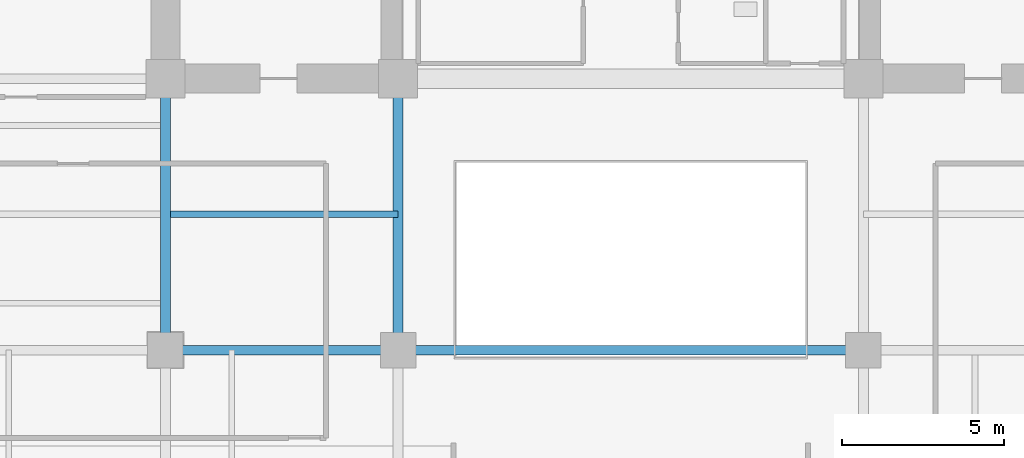
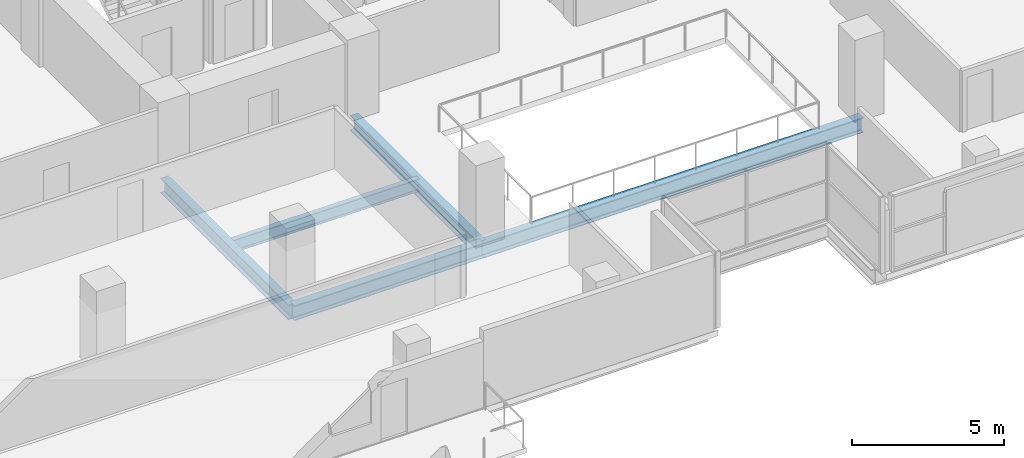
# One storey, part 4 of 31: 5 beams.
"""IFC4 building model written with IfcOpenShell, lengths in metres."""

from ifc_helpers import new_model, si_unit, direction, frame, origin, origin_2d, place, context, subcontext, project, spatial, i_section, extrude, material, material_profile, profile_set, type_object, element, save


model = new_model("IFC4")

# Units and contexts
model_context = context("Model", 3, precision=1e-05, world=origin(), true_north=direction((0.0, 1.0)))
body_context = subcontext(model_context, "Body", "Model", "MODEL_VIEW")
ifc_project = project(units=[si_unit("LENGTHUNIT", "METRE"), si_unit("AREAUNIT", "SQUARE_METRE"), si_unit("VOLUMEUNIT", "CUBIC_METRE"), si_unit("PLANEANGLEUNIT", "RADIAN"), si_unit("MASSUNIT", "GRAM", prefix="KILO")], contexts=[model_context])

# Site, building, storey
site_placement = place(None, origin())
site = spatial("IfcSite", under=ifc_project, at=site_placement, CompositionType="ELEMENT")
building_placement = place(site_placement, origin())
building = spatial("IfcBuilding", under=site, at=building_placement, Name="Zarnakvel Exchange Tower", CompositionType="ELEMENT")
storey_placement = place(building_placement, frame((0.0, 0.0, 53.800048828125)))
storey = spatial("IfcBuildingStorey", under=building, at=storey_placement, Name="L14", CompositionType="ELEMENT", Elevation=53.800048828125)

# Beams
ifc_material = material(Name="Steel S355", Category="steel")
ifc_material_profile_1 = material_profile(ifc_material, i_section(OverallWidth=0.199951171875, OverallDepth=0.5, WebThickness=0.01025390625, FlangeThickness=0.01611328125, FilletRadius=0.02099609375, at=origin_2d()))
ifc_profile_set_1 = profile_set([ifc_material_profile_1], Name="Steel S355")
beam_type_1 = type_object("IfcBeamType", Name="B-04", PredefinedType="JOIST", material=ifc_profile_set_1)
beam_1_placement = place(storey_placement, frame((-14.25, -5.39990234375, -0.47509765625), z_axis=(1.0, 0.0, 0.0), x_axis=(0.0, 1.0, 0.0)))
element("IfcBeam", 1, at=beam_1_placement, inside=storey, type_object=beam_type_1, Name="L14 Composite Floor Secondary Joist", PredefinedType="JOIST", context=body_context, shape_type="SweptSolid", body=[
    extrude(i_section(OverallWidth=0.199951171875, OverallDepth=0.5, WebThickness=0.01025390625, FlangeThickness=0.01611328125, FilletRadius=0.02099609375, at=origin_2d()), origin(), (0.0, 0.0, 1.0), 7.050048828125),
])
ifc_material_profile_2 = material_profile(ifc_material, i_section(OverallWidth=0.300048828125, OverallDepth=0.60009765625, WebThickness=0.015380859375, FlangeThickness=0.030029296875, FilletRadius=0.027099609375, at=origin_2d()))
ifc_profile_set_2 = profile_set([ifc_material_profile_2], Name="Steel S355")
beam_type_2 = type_object("IfcBeamType", Name="G-04", PredefinedType="BEAM", material=ifc_profile_set_2)
beam_2_placement = place(storey_placement, frame((-14.39990234375, -9.60009765625, -0.525146484375), z_axis=(1.0, 0.0, 0.0), x_axis=(0.0, 1.0, 0.0)))
element("IfcBeam", 2, at=beam_2_placement, inside=storey, type_object=beam_type_2, Name="L14 Tower E-W Frame Beam", PredefinedType="BEAM", context=body_context, shape_type="SweptSolid", body=[
    extrude(i_section(OverallWidth=0.300048828125, OverallDepth=0.60009765625, WebThickness=0.015380859375, FlangeThickness=0.030029296875, FilletRadius=0.027099609375, at=origin_2d()), origin(), (0.0, 0.0, 1.0), 7.199951171875),
])
beam_3_placement = place(storey_placement, frame((-7.199951171875, -9.60009765625, -0.525146484375), z_axis=(1.0, 0.0, 0.0), x_axis=(0.0, 1.0, 0.0)))
element("IfcBeam", 3, at=beam_3_placement, inside=storey, type_object=beam_type_2, Name="L14 Tower E-W Frame Beam", PredefinedType="BEAM", context=body_context, shape_type="SweptSolid", body=[
    extrude(i_section(OverallWidth=0.300048828125, OverallDepth=0.60009765625, WebThickness=0.015380859375, FlangeThickness=0.030029296875, FilletRadius=0.027099609375, at=origin_2d()), origin(), (0.0, 0.0, 1.0), 14.39990234375),
])
for number, where, z_axis, x_axis, name in (
    (4, (-14.39990234375, -9.60009765625, -0.525146484375), (0.0, 1.0, 0.0), (-1.0, 0.0, 0.0), "L14 Tower N-S Frame Beam"),
    (5, (-7.199951171875, -9.60009765625, -0.525146484375), (0.0, 1.0, 0.0), (-1.0, 0.0, 0.0), "L14 Tower N-S Frame Beam"),
):
    element("IfcBeam", number, at=place(storey_placement, frame(where, z_axis=z_axis, x_axis=x_axis)), inside=storey, type_object=beam_type_2, Name=name, PredefinedType="BEAM", context=body_context, shape_type="SweptSolid", body=[
        extrude(i_section(OverallWidth=0.300048828125, OverallDepth=0.60009765625, WebThickness=0.015380859375, FlangeThickness=0.030029296875, FilletRadius=0.027099609375, at=origin_2d()), origin(), (0.0, 0.0, 1.0), 8.400146484375),
    ])

save(model, "model.ifc")
